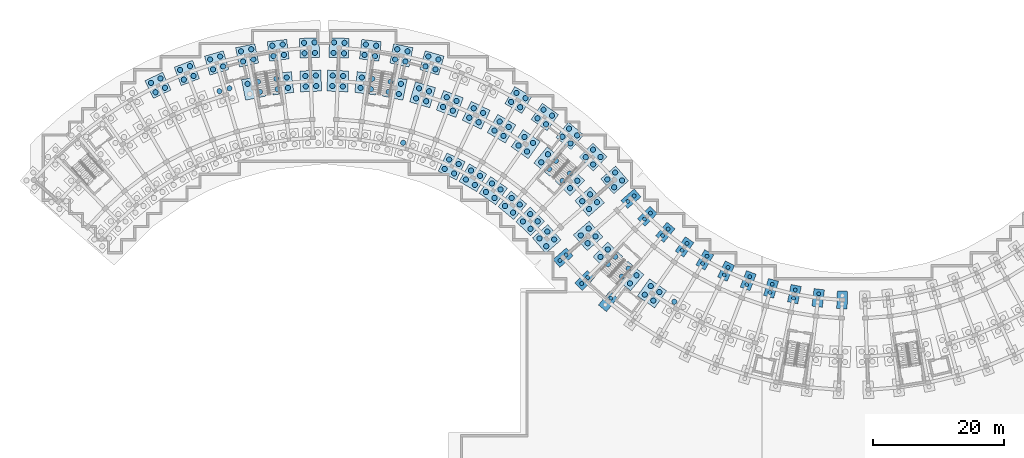
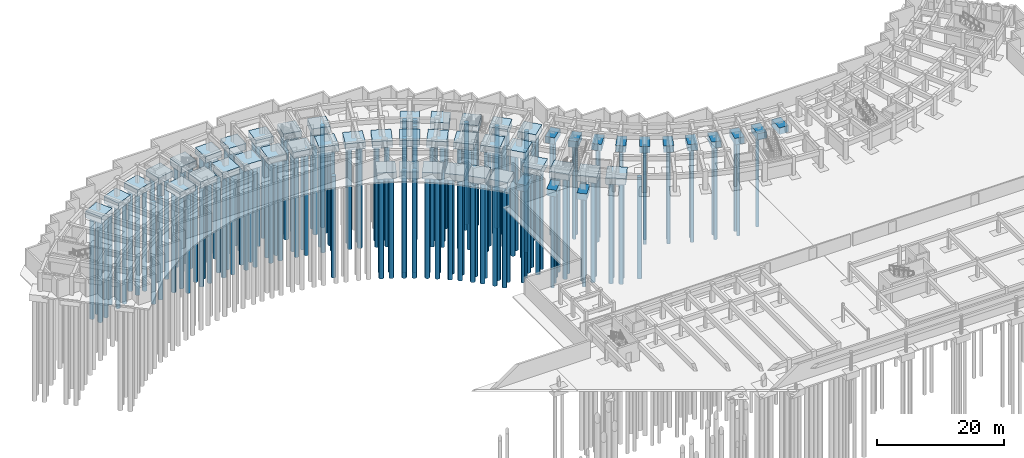
# One storey, part 3 of 32: 183 piles, 53 footings.
"""IFC4 building model written with IfcOpenShell, lengths in metres."""

from ifc_helpers import new_model, si_unit, direction, frame, origin, origin_2d, place, context, subcontext, project, spatial, rectangle, circle, extrude, material, material_profile, profile_set, type_object, element, save


model = new_model("IFC4")

# Units and contexts
model_context = context("Model", 3, precision=1e-05, world=origin(), true_north=direction((0.0, 1.0)))
body_context = subcontext(model_context, "Body", "Model", "MODEL_VIEW")
ifc_project = project(units=[si_unit("LENGTHUNIT", "METRE"), si_unit("AREAUNIT", "SQUARE_METRE"), si_unit("VOLUMEUNIT", "CUBIC_METRE"), si_unit("PLANEANGLEUNIT", "RADIAN"), si_unit("MASSUNIT", "GRAM", prefix="KILO")], contexts=[model_context])

# Site, building, storey
site_placement = place(None, origin())
site = spatial("IfcSite", under=ifc_project, at=site_placement, CompositionType="ELEMENT")
building_placement = place(site_placement, origin())
building = spatial("IfcBuilding", under=site, at=building_placement, Name="Zimvara Arc Housing Community", CompositionType="ELEMENT")
storey_placement = place(building_placement, frame((0.0, 0.0, -3.60009765625)))
storey = spatial("IfcBuildingStorey", under=building, at=storey_placement, Name="B1", CompositionType="ELEMENT", Elevation=-3.60009765625)

# Footings
ifc_material_1 = material(Name="Concrete C35/45", Category="concrete")
footing_type_1 = type_object("IfcFootingType", Name="FTG-PC2-2600x1600x1250", PredefinedType="PILE_CAP", material=ifc_material_1)
for number, where, z_axis, x_axis, name in (
    (1, (91.927490234375, 80.258544921875, -1.25), (0.0, 0.0, 1.0), (-0.754709580223, -0.656059028991, 0.0), "ftg:blkC:b0:r0"),
    (2, (81.542724609375, 71.231201171875, -1.25), (0.0, 0.0, 1.0), (-0.754709580223, -0.656059028991, 0.0), "ftg:blkC:b0:r3"),
    (3, (94.456298828125, 77.578857421875, -1.25), (0.0, 0.0, 1.0), (-0.698665066769, -0.715448897181, 0.0), "ftg:blkC:b1:r0"),
    (4, (84.842529296875, 67.734375, -1.25), (0.0, 0.0, 1.0), (-0.698665066769, -0.715448897181, 0.0), "ftg:blkC:b1:r3"),
    (5, (97.195068359375, 75.114501953125, -1.25), (0.0, 0.0, 1.0), (-0.637961754089, -0.770068049148, 0.0), "ftg:blkC:b2:r0"),
    (6, (88.416748046875, 64.518310546875, -1.25), (0.0, 0.0, 1.0), (-0.637961754089, -0.770068049148, 0.0), "ftg:blkC:b2:r3"),
    (7, (100.1259765625, 72.8818359375, -1.25), (0.0, 0.0, 1.0), (-0.573004420611, -0.819552276527, 0.0), "ftg:blkC:b3:r0"),
    (8, (103.229248046875, 70.895751953125, -1.25), (0.0, 0.0, 1.0), (-0.504226211181, -0.863571611366, 0.0), "ftg:blkC:b4:r0"),
    (9, (106.484375, 69.16943359375, -1.25), (0.0, 0.0, 1.0), (-0.432085748802, -0.901832526405, 0.0), "ftg:blkC:b5:r0"),
    (10, (109.869384765625, 67.71435546875, -1.25), (0.0, 0.0, 1.0), (-0.357064076459, -0.934079892355, 0.0), "ftg:blkC:b6:r0"),
    (11, (113.361572265625, 66.540283203125, -1.25), (0.0, 0.0, 1.0), (-0.27966144946, -0.96009867914, 0.0), "ftg:blkC:b7:r0"),
    (12, (116.938232421875, 65.6552734375, -1.25), (0.0, 0.0, 1.0), (-0.200393999665, -0.979715389742, 0.0), "ftg:blkC:b8:r0"),
    (13, (120.574951171875, 65.06494140625, -1.25), (0.0, 0.0, 1.0), (-0.119790293837, -0.992799217114, 0.0), "ftg:blkC:b9:r0"),
    (14, (124.248046875, 64.773193359375, -1.25), (0.0, 0.0, 1.0), (-0.038387809088, -0.999262916411, 0.0), "ftg:blkC:b10:r0"),
):
    element("IfcFooting", number, at=place(storey_placement, frame(where, z_axis=z_axis, x_axis=x_axis)), inside=storey, type_object=footing_type_1, Name=name, PredefinedType="PILE_CAP", context=body_context, shape_type="SweptSolid", body=[
        extrude(rectangle(XDim=2.699951171875, YDim=1.60009765625, at=origin_2d()), origin(), (0.0, 0.0, 1.0), 1.25),
    ])
ifc_material_2 = material(Name="Concrete C35/45", Category="concrete")
footing_type_2 = type_object("IfcFootingType", Name="FTG-PC4-2800x2800x1250", PredefinedType="PILE_CAP", material=ifc_material_2)
for number, where, z_axis, x_axis, name in (
    (15, (19.558837890625, 97.599853515625, -1.25), (0.0, 0.0, 1.0), (-0.432085748802, 0.901832526405, 0.0), "ftg:blkA:b5:r3"),
    (16, (23.97607421875, 99.49853515625, -1.25), (0.0, 0.0, 1.0), (-0.357064076459, 0.934079892355, 0.0), "ftg:blkA:b6:r3"),
    (17, (28.533447265625, 101.030517578125, -1.25), (0.0, 0.0, 1.0), (-0.27966144946, 0.96009867914, 0.0), "ftg:blkA:b7:r3"),
    (18, (33.20068359375, 102.185546875, -1.25), (0.0, 0.0, 1.0), (-0.200393999665, 0.979715389742, 0.0), "ftg:blkA:b8:r3"),
    (19, (37.94677734375, 102.9560546875, -1.25), (0.0, 0.0, 1.0), (-0.119790293837, 0.992799217114, 0.0), "ftg:blkA:b9:r3"),
    (20, (42.73974609375, 103.336669921875, -1.25), (0.0, 0.0, 1.0), (-0.038387809088, 0.999262916411, 0.0), "ftg:blkA:b10:r3"),
    (21, (47.26025390625, 103.336669921875, -1.25), (0.0, 0.0, 1.0), (0.038387809088, 0.999262916411, 0.0), "ftg:blkB:b0:r3"),
    (22, (52.05322265625, 102.9560546875, -1.25), (0.0, 0.0, 1.0), (0.119790293837, 0.992799217114, 0.0), "ftg:blkB:b1:r3"),
    (23, (56.79931640625, 102.185546875, -1.25), (0.0, 0.0, 1.0), (0.200393999665, 0.979715389742, 0.0), "ftg:blkB:b2:r3"),
    (24, (61.466552734375, 101.030517578125, -1.25), (0.0, 0.0, 1.0), (0.27966144946, 0.96009867914, 0.0), "ftg:blkB:b3:r3"),
    (25, (74.688720703125, 95.34716796875, -1.25), (0.0, 0.0, 1.0), (0.504226211181, 0.863571611366, 0.0), "ftg:blkB:b6:r3"),
    (26, (78.738525390625, 92.755126953125, -1.25), (0.0, 0.0, 1.0), (0.573004420611, 0.819552276527, 0.0), "ftg:blkB:b7:r3"),
    (27, (82.563232421875, 89.841552734375, -1.25), (0.0, 0.0, 1.0), (0.637961754089, 0.770068049148, 0.0), "ftg:blkB:b8:r3"),
    (28, (86.137451171875, 86.625732421875, -1.25), (0.0, 0.0, 1.0), (0.698665066769, 0.715448897181, 0.0), "ftg:blkB:b9:r3"),
    (29, (89.437255859375, 83.128662109375, -1.25), (0.0, 0.0, 1.0), (0.754709580223, 0.656059028991, 0.0), "ftg:blkB:b10:r3"),
):
    element("IfcFooting", number, at=place(storey_placement, frame(where, z_axis=z_axis, x_axis=x_axis)), inside=storey, type_object=footing_type_2, Name=name, PredefinedType="PILE_CAP", context=body_context, shape_type="SweptSolid", body=[
        extrude(rectangle(XDim=3.0, YDim=3.0, at=origin_2d()), origin(), (0.0, 0.0, 1.0), 1.25),
    ])
ifc_material_3 = material(Name="Concrete C35/45", Category="concrete")
footing_type_3 = type_object("IfcFootingType", Name="FTG-PC4-3000x3000x1250", PredefinedType="PILE_CAP", material=ifc_material_3)
for number, where, z_axis, x_axis, name in (
    (30, (64.49560546875, 85.190673828125, -1.25), (0.0, 0.0, 1.0), (0.432085748802, 0.901832526405, 0.0), "ftg:blkB:b5:r0"),
    (31, (67.750732421875, 83.46435546875, -1.25), (0.0, 0.0, 1.0), (0.504226211181, 0.863571611366, 0.0), "ftg:blkB:b6:r0"),
    (32, (70.85400390625, 81.478271484375, -1.25), (0.0, 0.0, 1.0), (0.573004420611, 0.819552276527, 0.0), "ftg:blkB:b7:r0"),
    (33, (73.784912109375, 79.245361328125, -1.25), (0.0, 0.0, 1.0), (0.637961754089, 0.770068049148, 0.0), "ftg:blkB:b8:r0"),
    (34, (76.523681640625, 76.781005859375, -1.25), (0.0, 0.0, 1.0), (0.698665066769, 0.715448897181, 0.0), "ftg:blkB:b9:r0"),
    (35, (79.052490234375, 74.101318359375, -1.25), (0.0, 0.0, 1.0), (0.754709580223, 0.656059028991, 0.0), "ftg:blkB:b10:r0"),
):
    element("IfcFooting", number, at=place(storey_placement, frame(where, z_axis=z_axis, x_axis=x_axis)), inside=storey, type_object=footing_type_3, Name=name, PredefinedType="PILE_CAP", context=body_context, shape_type="SweptSolid", body=[
        extrude(rectangle(XDim=3.10009765625, YDim=3.10009765625, at=origin_2d()), origin(), (0.0, 0.0, 1.0), 1.25),
    ])
ifc_material_4 = material(Name="Concrete C35/45", Category="concrete")
footing_type_4 = type_object("IfcFootingType", Name="FTG-PC4-3200x3200x1250", PredefinedType="PILE_CAP", material=ifc_material_4)
for number, where, z_axis, x_axis, name in (
    (36, (34.21875, 97.208740234375, -1.25), (0.0, 0.0, 1.0), (-0.200393999665, 0.979715389742, 0.0), "ftg:blkA:b8:r2"),
    (37, (38.55517578125, 97.91259765625, -1.25), (0.0, 0.0, 1.0), (-0.119790293837, 0.992799217114, 0.0), "ftg:blkA:b9:r2"),
    (38, (42.934814453125, 98.26025390625, -1.25), (0.0, 0.0, 1.0), (-0.038387809088, 0.999262916411, 0.0), "ftg:blkA:b10:r2"),
    (39, (47.065185546875, 98.26025390625, -1.25), (0.0, 0.0, 1.0), (0.038387809088, 0.999262916411, 0.0), "ftg:blkB:b0:r2"),
    (40, (51.44482421875, 97.91259765625, -1.25), (0.0, 0.0, 1.0), (0.119790293837, 0.992799217114, 0.0), "ftg:blkB:b1:r2"),
    (41, (55.78125, 97.208740234375, -1.25), (0.0, 0.0, 1.0), (0.200393999665, 0.979715389742, 0.0), "ftg:blkB:b2:r2"),
    (42, (60.0458984375, 96.1533203125, -1.25), (0.0, 0.0, 1.0), (0.27966144946, 0.96009867914, 0.0), "ftg:blkB:b3:r2"),
    (43, (64.2099609375, 94.75341796875, -1.25), (0.0, 0.0, 1.0), (0.357064076459, 0.934079892355, 0.0), "ftg:blkB:b4:r2"),
    (44, (68.24609375, 93.0185546875, -1.25), (0.0, 0.0, 1.0), (0.432085748802, 0.901832526405, 0.0), "ftg:blkB:b5:r2"),
    (45, (72.12744140625, 90.960205078125, -1.25), (0.0, 0.0, 1.0), (0.504226211181, 0.863571611366, 0.0), "ftg:blkB:b6:r2"),
    (46, (75.82763671875, 88.591796875, -1.25), (0.0, 0.0, 1.0), (0.573004420611, 0.819552276527, 0.0), "ftg:blkB:b7:r2"),
    (47, (79.322265625, 85.9296875, -1.25), (0.0, 0.0, 1.0), (0.637961754089, 0.770068049148, 0.0), "ftg:blkB:b8:r2"),
    (48, (82.588134765625, 82.9912109375, -1.25), (0.0, 0.0, 1.0), (0.698665066769, 0.715448897181, 0.0), "ftg:blkB:b9:r2"),
    (49, (85.603271484375, 79.7958984375, -1.25), (0.0, 0.0, 1.0), (0.754709580223, 0.656059028991, 0.0), "ftg:blkB:b10:r2"),
    (50, (85.376708984375, 74.56396484375, -1.25), (0.0, 0.0, 1.0), (-0.754709580223, -0.656059028991, 0.0), "ftg:blkC:b0:r2"),
    (51, (88.391845703125, 71.368896484375, -1.25), (0.0, 0.0, 1.0), (-0.698665066769, -0.715448897181, 0.0), "ftg:blkC:b1:r2"),
    (52, (91.65771484375, 68.430419921875, -1.25), (0.0, 0.0, 1.0), (-0.637961754089, -0.770068049148, 0.0), "ftg:blkC:b2:r2"),
    (53, (95.15234375, 65.76806640625, -1.25), (0.0, 0.0, 1.0), (-0.573004420611, -0.819552276527, 0.0), "ftg:blkC:b3:r2"),
):
    element("IfcFooting", number, at=place(storey_placement, frame(where, z_axis=z_axis, x_axis=x_axis)), inside=storey, type_object=footing_type_4, Name=name, PredefinedType="PILE_CAP", context=body_context, shape_type="SweptSolid", body=[
        extrude(rectangle(XDim=3.199951171875, YDim=3.199951171875, at=origin_2d()), origin(), (0.0, 0.0, 1.0), 1.25),
    ])

# Piles
ifc_material_5 = material(Name="Concrete C35/45", Category="concrete")
ifc_material_profile_1 = material_profile(ifc_material_5, circle(Radius=0.300048828125, at=origin_2d()), Name="PILE D600")
ifc_profile_set_1 = profile_set([ifc_material_profile_1], Name="Concrete C35/45")
pile_type_1 = type_object("IfcPileType", Name="PIL-BORED-D600", PredefinedType="BORED", material=ifc_profile_set_1)
for number, where, z_axis, x_axis, name in (
    (54, (92.41796875, 80.68505859375, -1.14990234375), (0.0, 0.0, -1.0), (1.0, 0.0, 0.0), "pile:blkC:b0:r0:1"),
    (55, (91.43701171875, 79.832275390625, -1.14990234375), (0.0, 0.0, -1.0), (1.0, 0.0, 0.0), "pile:blkC:b0:r0:2"),
    (56, (82.033203125, 71.65771484375, -1.14990234375), (0.0, 0.0, -1.0), (1.0, 0.0, 0.0), "pile:blkC:b0:r3:1"),
    (57, (81.05224609375, 70.804931640625, -1.14990234375), (0.0, 0.0, -1.0), (1.0, 0.0, 0.0), "pile:blkC:b0:r3:2"),
    (58, (94.910400390625, 78.0439453125, -1.14990234375), (0.0, 0.0, -1.0), (1.0, 0.0, 0.0), "pile:blkC:b1:r0:1"),
    (59, (94.002197265625, 77.114013671875, -1.14990234375), (0.0, 0.0, -1.0), (1.0, 0.0, 0.0), "pile:blkC:b1:r0:2"),
    (60, (85.296630859375, 68.199462890625, -1.14990234375), (0.0, 0.0, -1.0), (1.0, 0.0, 0.0), "pile:blkC:b1:r3:1"),
    (61, (84.388427734375, 67.269287109375, -1.14990234375), (0.0, 0.0, -1.0), (1.0, 0.0, 0.0), "pile:blkC:b1:r3:2"),
    (62, (97.60986328125, 75.614990234375, -1.14990234375), (0.0, 0.0, -1.0), (1.0, 0.0, 0.0), "pile:blkC:b2:r0:1"),
    (63, (96.780517578125, 74.614013671875, -1.14990234375), (0.0, 0.0, -1.0), (1.0, 0.0, 0.0), "pile:blkC:b2:r0:2"),
    (64, (88.83154296875, 65.01904296875, -1.14990234375), (0.0, 0.0, -1.0), (1.0, 0.0, 0.0), "pile:blkC:b2:r3:1"),
    (65, (100.49853515625, 73.41455078125, -1.14990234375), (0.0, 0.0, -1.0), (1.0, 0.0, 0.0), "pile:blkC:b3:r0:1"),
    (66, (99.753662109375, 72.34912109375, -1.14990234375), (0.0, 0.0, -1.0), (1.0, 0.0, 0.0), "pile:blkC:b3:r0:2"),
    (67, (103.55712890625, 71.45703125, -1.14990234375), (0.0, 0.0, -1.0), (1.0, 0.0, 0.0), "pile:blkC:b4:r0:1"),
    (68, (102.901611328125, 70.334228515625, -1.14990234375), (0.0, 0.0, -1.0), (1.0, 0.0, 0.0), "pile:blkC:b4:r0:2"),
    (69, (106.76513671875, 69.755615234375, -1.14990234375), (0.0, 0.0, -1.0), (1.0, 0.0, 0.0), "pile:blkC:b5:r0:1"),
    (70, (106.203369140625, 68.5830078125, -1.14990234375), (0.0, 0.0, -1.0), (1.0, 0.0, 0.0), "pile:blkC:b5:r0:2"),
    (71, (110.101318359375, 68.321533203125, -1.14990234375), (0.0, 0.0, -1.0), (1.0, 0.0, 0.0), "pile:blkC:b6:r0:1"),
    (72, (109.63720703125, 67.107177734375, -1.14990234375), (0.0, 0.0, -1.0), (1.0, 0.0, 0.0), "pile:blkC:b6:r0:2"),
    (73, (113.54345703125, 67.164306640625, -1.14990234375), (0.0, 0.0, -1.0), (1.0, 0.0, 0.0), "pile:blkC:b7:r0:1"),
    (74, (113.179931640625, 65.916259765625, -1.14990234375), (0.0, 0.0, -1.0), (1.0, 0.0, 0.0), "pile:blkC:b7:r0:2"),
    (75, (117.068359375, 66.2919921875, -1.14990234375), (0.0, 0.0, -1.0), (1.0, 0.0, 0.0), "pile:blkC:b8:r0:1"),
    (76, (116.807861328125, 65.018310546875, -1.14990234375), (0.0, 0.0, -1.0), (1.0, 0.0, 0.0), "pile:blkC:b8:r0:2"),
    (77, (120.65283203125, 65.710205078125, -1.14990234375), (0.0, 0.0, -1.0), (1.0, 0.0, 0.0), "pile:blkC:b9:r0:1"),
):
    element("IfcPile", number, at=place(storey_placement, frame(where, z_axis=z_axis, x_axis=x_axis)), inside=storey, type_object=pile_type_1, Name=name, PredefinedType="BORED", context=body_context, shape_type="SweptSolid", body=[
        extrude(circle(Radius=0.300048828125, at=origin_2d()), origin(), (0.0, 0.0, 1.0), 18.0),
    ])
ifc_material_6 = material(Name="Concrete C35/45", Category="concrete")
ifc_material_profile_2 = material_profile(ifc_material_6, circle(Radius=0.39990234375, at=origin_2d()), Name="PILE D800")
ifc_profile_set_2 = profile_set([ifc_material_profile_2], Name="Concrete C35/45")
pile_type_2 = type_object("IfcPileType", Name="PIL-BORED-D800", PredefinedType="BORED", material=ifc_profile_set_2)
for number, where, z_axis, x_axis, name in (
    (78, (20.6259765625, 97.22412109375, -1.14990234375), (0.0, 0.0, -1.0), (1.0, 0.0, 0.0), "pile:blkA:b5:r3:1"),
    (79, (19.9345703125, 98.6669921875, -1.14990234375), (0.0, 0.0, -1.0), (1.0, 0.0, 0.0), "pile:blkA:b5:r3:2"),
    (80, (18.49169921875, 97.9755859375, -1.14990234375), (0.0, 0.0, -1.0), (1.0, 0.0, 0.0), "pile:blkA:b5:r3:3"),
    (81, (19.18310546875, 96.53271484375, -1.14990234375), (0.0, 0.0, -1.0), (1.0, 0.0, 0.0), "pile:blkA:b5:r3:4"),
    (82, (25.009033203125, 99.037109375, -1.14990234375), (0.0, 0.0, -1.0), (1.0, 0.0, 0.0), "pile:blkA:b6:r3:1"),
    (83, (24.437744140625, 100.531494140625, -1.14990234375), (0.0, 0.0, -1.0), (1.0, 0.0, 0.0), "pile:blkA:b6:r3:2"),
    (84, (22.943115234375, 99.960205078125, -1.14990234375), (0.0, 0.0, -1.0), (1.0, 0.0, 0.0), "pile:blkA:b6:r3:3"),
    (85, (23.514404296875, 98.4658203125, -1.14990234375), (0.0, 0.0, -1.0), (1.0, 0.0, 0.0), "pile:blkA:b6:r3:4"),
    (86, (30.49853515625, 97.14501953125, -1.14990234375), (0.0, 0.0, -1.0), (1.0, 0.0, 0.0), "pile:blkA:b7:r2:2"),
    (87, (28.96240234375, 96.69775390625, -1.14990234375), (0.0, 0.0, -1.0), (1.0, 0.0, 0.0), "pile:blkA:b7:r2:3"),
    (88, (29.525390625, 100.486328125, -1.14990234375), (0.0, 0.0, -1.0), (1.0, 0.0, 0.0), "pile:blkA:b7:r3:1"),
    (89, (29.077880859375, 102.0224609375, -1.14990234375), (0.0, 0.0, -1.0), (1.0, 0.0, 0.0), "pile:blkA:b7:r3:2"),
    (90, (27.541748046875, 101.574951171875, -1.14990234375), (0.0, 0.0, -1.0), (1.0, 0.0, 0.0), "pile:blkA:b7:r3:3"),
    (91, (27.9892578125, 100.038818359375, -1.14990234375), (0.0, 0.0, -1.0), (1.0, 0.0, 0.0), "pile:blkA:b7:r3:4"),
    (92, (35.162841796875, 96.585205078125, -1.14990234375), (0.0, 0.0, -1.0), (1.0, 0.0, 0.0), "pile:blkA:b8:r2:1"),
    (93, (34.84228515625, 98.15283203125, -1.14990234375), (0.0, 0.0, -1.0), (1.0, 0.0, 0.0), "pile:blkA:b8:r2:2"),
    (94, (33.274658203125, 97.83203125, -1.14990234375), (0.0, 0.0, -1.0), (1.0, 0.0, 0.0), "pile:blkA:b8:r2:3"),
    (95, (34.144775390625, 101.562255859375, -1.14990234375), (0.0, 0.0, -1.0), (1.0, 0.0, 0.0), "pile:blkA:b8:r3:1"),
    (96, (33.82421875, 103.129638671875, -1.14990234375), (0.0, 0.0, -1.0), (1.0, 0.0, 0.0), "pile:blkA:b8:r3:2"),
    (97, (32.256591796875, 102.80908203125, -1.14990234375), (0.0, 0.0, -1.0), (1.0, 0.0, 0.0), "pile:blkA:b8:r3:3"),
    (98, (32.577392578125, 101.241455078125, -1.14990234375), (0.0, 0.0, -1.0), (1.0, 0.0, 0.0), "pile:blkA:b8:r3:4"),
    (99, (39.4453125, 97.214111328125, -1.14990234375), (0.0, 0.0, -1.0), (1.0, 0.0, 0.0), "pile:blkA:b9:r2:1"),
    (100, (39.253662109375, 98.802734375, -1.14990234375), (0.0, 0.0, -1.0), (1.0, 0.0, 0.0), "pile:blkA:b9:r2:2"),
    (101, (37.665283203125, 98.611083984375, -1.14990234375), (0.0, 0.0, -1.0), (1.0, 0.0, 0.0), "pile:blkA:b9:r2:3"),
    (102, (37.85693359375, 97.0224609375, -1.14990234375), (0.0, 0.0, -1.0), (1.0, 0.0, 0.0), "pile:blkA:b9:r2:4"),
    (103, (38.8369140625, 102.257568359375, -1.14990234375), (0.0, 0.0, -1.0), (1.0, 0.0, 0.0), "pile:blkA:b9:r3:1"),
    (104, (38.645263671875, 103.84619140625, -1.14990234375), (0.0, 0.0, -1.0), (1.0, 0.0, 0.0), "pile:blkA:b9:r3:2"),
    (105, (37.056640625, 103.654541015625, -1.14990234375), (0.0, 0.0, -1.0), (1.0, 0.0, 0.0), "pile:blkA:b9:r3:3"),
    (106, (37.248291015625, 102.06591796875, -1.14990234375), (0.0, 0.0, -1.0), (1.0, 0.0, 0.0), "pile:blkA:b9:r3:4"),
    (107, (43.764892578125, 97.49169921875, -1.14990234375), (0.0, 0.0, -1.0), (1.0, 0.0, 0.0), "pile:blkA:b10:r2:1"),
    (108, (43.703369140625, 99.090576171875, -1.14990234375), (0.0, 0.0, -1.0), (1.0, 0.0, 0.0), "pile:blkA:b10:r2:2"),
    (109, (42.104736328125, 99.029052734375, -1.14990234375), (0.0, 0.0, -1.0), (1.0, 0.0, 0.0), "pile:blkA:b10:r2:3"),
    (110, (42.166015625, 97.43017578125, -1.14990234375), (0.0, 0.0, -1.0), (1.0, 0.0, 0.0), "pile:blkA:b10:r2:4"),
    (111, (43.56982421875, 102.56787109375, -1.14990234375), (0.0, 0.0, -1.0), (1.0, 0.0, 0.0), "pile:blkA:b10:r3:1"),
    (112, (43.508544921875, 104.166748046875, -1.14990234375), (0.0, 0.0, -1.0), (1.0, 0.0, 0.0), "pile:blkA:b10:r3:2"),
    (113, (41.90966796875, 104.105224609375, -1.14990234375), (0.0, 0.0, -1.0), (1.0, 0.0, 0.0), "pile:blkA:b10:r3:3"),
    (114, (41.970947265625, 102.506591796875, -1.14990234375), (0.0, 0.0, -1.0), (1.0, 0.0, 0.0), "pile:blkA:b10:r3:4"),
    (115, (47.833984375, 97.43017578125, -1.14990234375), (0.0, 0.0, -1.0), (1.0, 0.0, 0.0), "pile:blkB:b0:r2:1"),
    (116, (47.895263671875, 99.029052734375, -1.14990234375), (0.0, 0.0, -1.0), (1.0, 0.0, 0.0), "pile:blkB:b0:r2:2"),
    (117, (46.296630859375, 99.090576171875, -1.14990234375), (0.0, 0.0, -1.0), (1.0, 0.0, 0.0), "pile:blkB:b0:r2:3"),
    (118, (46.235107421875, 97.49169921875, -1.14990234375), (0.0, 0.0, -1.0), (1.0, 0.0, 0.0), "pile:blkB:b0:r2:4"),
    (119, (48.029052734375, 102.506591796875, -1.14990234375), (0.0, 0.0, -1.0), (1.0, 0.0, 0.0), "pile:blkB:b0:r3:1"),
    (120, (48.09033203125, 104.105224609375, -1.14990234375), (0.0, 0.0, -1.0), (1.0, 0.0, 0.0), "pile:blkB:b0:r3:2"),
    (121, (46.491455078125, 104.166748046875, -1.14990234375), (0.0, 0.0, -1.0), (1.0, 0.0, 0.0), "pile:blkB:b0:r3:3"),
    (122, (46.43017578125, 102.56787109375, -1.14990234375), (0.0, 0.0, -1.0), (1.0, 0.0, 0.0), "pile:blkB:b0:r3:4"),
    (123, (52.14306640625, 97.0224609375, -1.14990234375), (0.0, 0.0, -1.0), (1.0, 0.0, 0.0), "pile:blkB:b1:r2:1"),
    (124, (52.334716796875, 98.611083984375, -1.14990234375), (0.0, 0.0, -1.0), (1.0, 0.0, 0.0), "pile:blkB:b1:r2:2"),
    (125, (50.746337890625, 98.802734375, -1.14990234375), (0.0, 0.0, -1.0), (1.0, 0.0, 0.0), "pile:blkB:b1:r2:3"),
    (126, (50.5546875, 97.214111328125, -1.14990234375), (0.0, 0.0, -1.0), (1.0, 0.0, 0.0), "pile:blkB:b1:r2:4"),
    (127, (52.751708984375, 102.06591796875, -1.14990234375), (0.0, 0.0, -1.0), (1.0, 0.0, 0.0), "pile:blkB:b1:r3:1"),
    (128, (52.943359375, 103.654541015625, -1.14990234375), (0.0, 0.0, -1.0), (1.0, 0.0, 0.0), "pile:blkB:b1:r3:2"),
    (129, (51.354736328125, 103.84619140625, -1.14990234375), (0.0, 0.0, -1.0), (1.0, 0.0, 0.0), "pile:blkB:b1:r3:3"),
    (130, (51.1630859375, 102.257568359375, -1.14990234375), (0.0, 0.0, -1.0), (1.0, 0.0, 0.0), "pile:blkB:b1:r3:4"),
    (131, (56.404541015625, 96.2646484375, -1.14990234375), (0.0, 0.0, -1.0), (1.0, 0.0, 0.0), "pile:blkB:b2:r2:1"),
    (132, (56.725341796875, 97.83203125, -1.14990234375), (0.0, 0.0, -1.0), (1.0, 0.0, 0.0), "pile:blkB:b2:r2:2"),
    (133, (55.15771484375, 98.15283203125, -1.14990234375), (0.0, 0.0, -1.0), (1.0, 0.0, 0.0), "pile:blkB:b2:r2:3"),
    (134, (54.837158203125, 96.585205078125, -1.14990234375), (0.0, 0.0, -1.0), (1.0, 0.0, 0.0), "pile:blkB:b2:r2:4"),
    (135, (57.422607421875, 101.241455078125, -1.14990234375), (0.0, 0.0, -1.0), (1.0, 0.0, 0.0), "pile:blkB:b2:r3:1"),
    (136, (57.743408203125, 102.80908203125, -1.14990234375), (0.0, 0.0, -1.0), (1.0, 0.0, 0.0), "pile:blkB:b2:r3:2"),
    (137, (56.17578125, 103.129638671875, -1.14990234375), (0.0, 0.0, -1.0), (1.0, 0.0, 0.0), "pile:blkB:b2:r3:3"),
    (138, (55.855224609375, 101.562255859375, -1.14990234375), (0.0, 0.0, -1.0), (1.0, 0.0, 0.0), "pile:blkB:b2:r3:4"),
    (139, (57.073974609375, 88.8115234375, -1.14990234375), (0.0, 0.0, -1.0), (1.0, 0.0, 0.0), "pile:blkB:b3:r0:3"),
    (140, (60.590087890625, 95.16162109375, -1.14990234375), (0.0, 0.0, -1.0), (1.0, 0.0, 0.0), "pile:blkB:b3:r2:1"),
    (141, (61.03759765625, 96.69775390625, -1.14990234375), (0.0, 0.0, -1.0), (1.0, 0.0, 0.0), "pile:blkB:b3:r2:2"),
    (142, (59.50146484375, 97.14501953125, -1.14990234375), (0.0, 0.0, -1.0), (1.0, 0.0, 0.0), "pile:blkB:b3:r2:3"),
    (143, (59.053955078125, 95.60888671875, -1.14990234375), (0.0, 0.0, -1.0), (1.0, 0.0, 0.0), "pile:blkB:b3:r2:4"),
    (144, (62.0107421875, 100.038818359375, -1.14990234375), (0.0, 0.0, -1.0), (1.0, 0.0, 0.0), "pile:blkB:b3:r3:1"),
    (145, (62.458251953125, 101.574951171875, -1.14990234375), (0.0, 0.0, -1.0), (1.0, 0.0, 0.0), "pile:blkB:b3:r3:2"),
    (146, (60.922119140625, 102.0224609375, -1.14990234375), (0.0, 0.0, -1.0), (1.0, 0.0, 0.0), "pile:blkB:b3:r3:3"),
    (147, (60.474609375, 100.486328125, -1.14990234375), (0.0, 0.0, -1.0), (1.0, 0.0, 0.0), "pile:blkB:b3:r3:4"),
    (148, (64.671630859375, 93.720458984375, -1.14990234375), (0.0, 0.0, -1.0), (1.0, 0.0, 0.0), "pile:blkB:b4:r2:1"),
    (149, (65.242919921875, 95.215087890625, -1.14990234375), (0.0, 0.0, -1.0), (1.0, 0.0, 0.0), "pile:blkB:b4:r2:2"),
    (150, (63.74853515625, 95.786376953125, -1.14990234375), (0.0, 0.0, -1.0), (1.0, 0.0, 0.0), "pile:blkB:b4:r2:3"),
    (151, (63.17724609375, 94.2919921875, -1.14990234375), (0.0, 0.0, -1.0), (1.0, 0.0, 0.0), "pile:blkB:b4:r2:4"),
    (152, (64.87158203125, 84.12353515625, -1.14990234375), (0.0, 0.0, -1.0), (1.0, 0.0, 0.0), "pile:blkB:b5:r0:1"),
    (153, (65.562744140625, 85.56640625, -1.14990234375), (0.0, 0.0, -1.0), (1.0, 0.0, 0.0), "pile:blkB:b5:r0:2"),
    (154, (64.119873046875, 86.2578125, -1.14990234375), (0.0, 0.0, -1.0), (1.0, 0.0, 0.0), "pile:blkB:b5:r0:3"),
    (155, (63.428466796875, 84.81494140625, -1.14990234375), (0.0, 0.0, -1.0), (1.0, 0.0, 0.0), "pile:blkB:b5:r0:4"),
    (156, (68.6220703125, 91.951416015625, -1.14990234375), (0.0, 0.0, -1.0), (1.0, 0.0, 0.0), "pile:blkB:b5:r2:1"),
    (157, (69.313232421875, 93.394287109375, -1.14990234375), (0.0, 0.0, -1.0), (1.0, 0.0, 0.0), "pile:blkB:b5:r2:2"),
    (158, (67.870361328125, 94.085693359375, -1.14990234375), (0.0, 0.0, -1.0), (1.0, 0.0, 0.0), "pile:blkB:b5:r2:3"),
    (159, (67.17919921875, 92.642822265625, -1.14990234375), (0.0, 0.0, -1.0), (1.0, 0.0, 0.0), "pile:blkB:b5:r2:4"),
    (160, (68.0380859375, 82.3701171875, -1.14990234375), (0.0, 0.0, -1.0), (1.0, 0.0, 0.0), "pile:blkB:b6:r0:1"),
    (161, (68.844970703125, 83.751708984375, -1.14990234375), (0.0, 0.0, -1.0), (1.0, 0.0, 0.0), "pile:blkB:b6:r0:2"),
    (162, (67.463134765625, 84.55859375, -1.14990234375), (0.0, 0.0, -1.0), (1.0, 0.0, 0.0), "pile:blkB:b6:r0:3"),
    (163, (66.656494140625, 83.1767578125, -1.14990234375), (0.0, 0.0, -1.0), (1.0, 0.0, 0.0), "pile:blkB:b6:r0:4"),
    (164, (72.414794921875, 89.865966796875, -1.14990234375), (0.0, 0.0, -1.0), (1.0, 0.0, 0.0), "pile:blkB:b6:r2:1"),
    (165, (73.2216796875, 91.24755859375, -1.14990234375), (0.0, 0.0, -1.0), (1.0, 0.0, 0.0), "pile:blkB:b6:r2:2"),
    (166, (71.83984375, 92.054443359375, -1.14990234375), (0.0, 0.0, -1.0), (1.0, 0.0, 0.0), "pile:blkB:b6:r2:3"),
    (167, (71.033203125, 90.672607421875, -1.14990234375), (0.0, 0.0, -1.0), (1.0, 0.0, 0.0), "pile:blkB:b6:r2:4"),
    (168, (74.976318359375, 94.2529296875, -1.14990234375), (0.0, 0.0, -1.0), (1.0, 0.0, 0.0), "pile:blkB:b6:r3:1"),
    (169, (75.782958984375, 95.634521484375, -1.14990234375), (0.0, 0.0, -1.0), (1.0, 0.0, 0.0), "pile:blkB:b6:r3:2"),
    (170, (74.4013671875, 96.44140625, -1.14990234375), (0.0, 0.0, -1.0), (1.0, 0.0, 0.0), "pile:blkB:b6:r3:3"),
    (171, (73.594482421875, 95.0595703125, -1.14990234375), (0.0, 0.0, -1.0), (1.0, 0.0, 0.0), "pile:blkB:b6:r3:4"),
    (172, (71.05126953125, 80.3642578125, -1.14990234375), (0.0, 0.0, -1.0), (1.0, 0.0, 0.0), "pile:blkB:b7:r0:1"),
    (173, (71.968017578125, 81.675537109375, -1.14990234375), (0.0, 0.0, -1.0), (1.0, 0.0, 0.0), "pile:blkB:b7:r0:2"),
    (174, (70.65673828125, 82.59228515625, -1.14990234375), (0.0, 0.0, -1.0), (1.0, 0.0, 0.0), "pile:blkB:b7:r0:3"),
    (175, (69.739990234375, 81.281005859375, -1.14990234375), (0.0, 0.0, -1.0), (1.0, 0.0, 0.0), "pile:blkB:b7:r0:4"),
    (176, (76.02490234375, 87.477783203125, -1.14990234375), (0.0, 0.0, -1.0), (1.0, 0.0, 0.0), "pile:blkB:b7:r2:1"),
    (177, (76.941650390625, 88.7890625, -1.14990234375), (0.0, 0.0, -1.0), (1.0, 0.0, 0.0), "pile:blkB:b7:r2:2"),
    (178, (75.63037109375, 89.7060546875, -1.14990234375), (0.0, 0.0, -1.0), (1.0, 0.0, 0.0), "pile:blkB:b7:r2:3"),
    (179, (74.713623046875, 88.394775390625, -1.14990234375), (0.0, 0.0, -1.0), (1.0, 0.0, 0.0), "pile:blkB:b7:r2:4"),
    (180, (78.935791015625, 91.64111328125, -1.14990234375), (0.0, 0.0, -1.0), (1.0, 0.0, 0.0), "pile:blkB:b7:r3:1"),
    (181, (79.8525390625, 92.952392578125, -1.14990234375), (0.0, 0.0, -1.0), (1.0, 0.0, 0.0), "pile:blkB:b7:r3:2"),
    (182, (78.541259765625, 93.869384765625, -1.14990234375), (0.0, 0.0, -1.0), (1.0, 0.0, 0.0), "pile:blkB:b7:r3:3"),
    (183, (77.62451171875, 92.55810546875, -1.14990234375), (0.0, 0.0, -1.0), (1.0, 0.0, 0.0), "pile:blkB:b7:r3:4"),
    (184, (73.890625, 78.119140625, -1.14990234375), (0.0, 0.0, -1.0), (1.0, 0.0, 0.0), "pile:blkB:b8:r0:1"),
    (185, (74.911376953125, 79.35107421875, -1.14990234375), (0.0, 0.0, -1.0), (1.0, 0.0, 0.0), "pile:blkB:b8:r0:2"),
    (186, (73.67919921875, 80.371826171875, -1.14990234375), (0.0, 0.0, -1.0), (1.0, 0.0, 0.0), "pile:blkB:b8:r0:3"),
    (187, (72.658447265625, 79.139892578125, -1.14990234375), (0.0, 0.0, -1.0), (1.0, 0.0, 0.0), "pile:blkB:b8:r0:4"),
    (188, (79.427978515625, 84.80322265625, -1.14990234375), (0.0, 0.0, -1.0), (1.0, 0.0, 0.0), "pile:blkB:b8:r2:1"),
    (189, (80.44873046875, 86.035400390625, -1.14990234375), (0.0, 0.0, -1.0), (1.0, 0.0, 0.0), "pile:blkB:b8:r2:2"),
    (190, (79.216552734375, 87.05615234375, -1.14990234375), (0.0, 0.0, -1.0), (1.0, 0.0, 0.0), "pile:blkB:b8:r2:3"),
    (191, (78.19580078125, 85.823974609375, -1.14990234375), (0.0, 0.0, -1.0), (1.0, 0.0, 0.0), "pile:blkB:b8:r2:4"),
    (192, (82.6689453125, 88.715087890625, -1.14990234375), (0.0, 0.0, -1.0), (1.0, 0.0, 0.0), "pile:blkB:b8:r3:1"),
    (193, (83.689697265625, 89.947265625, -1.14990234375), (0.0, 0.0, -1.0), (1.0, 0.0, 0.0), "pile:blkB:b8:r3:2"),
    (194, (82.45751953125, 90.968017578125, -1.14990234375), (0.0, 0.0, -1.0), (1.0, 0.0, 0.0), "pile:blkB:b8:r3:3"),
    (195, (81.436767578125, 89.73583984375, -1.14990234375), (0.0, 0.0, -1.0), (1.0, 0.0, 0.0), "pile:blkB:b8:r3:4"),
    (196, (76.537109375, 75.649658203125, -1.14990234375), (0.0, 0.0, -1.0), (1.0, 0.0, 0.0), "pile:blkB:b9:r0:1"),
    (197, (77.655029296875, 76.79443359375, -1.14990234375), (0.0, 0.0, -1.0), (1.0, 0.0, 0.0), "pile:blkB:b9:r0:2"),
    (198, (76.51025390625, 77.912353515625, -1.14990234375), (0.0, 0.0, -1.0), (1.0, 0.0, 0.0), "pile:blkB:b9:r0:3"),
    (199, (75.392578125, 76.767578125, -1.14990234375), (0.0, 0.0, -1.0), (1.0, 0.0, 0.0), "pile:blkB:b9:r0:4"),
    (200, (82.6015625, 81.85986328125, -1.14990234375), (0.0, 0.0, -1.0), (1.0, 0.0, 0.0), "pile:blkB:b9:r2:1"),
    (201, (83.719482421875, 83.004638671875, -1.14990234375), (0.0, 0.0, -1.0), (1.0, 0.0, 0.0), "pile:blkB:b9:r2:2"),
    (202, (82.57470703125, 84.12255859375, -1.14990234375), (0.0, 0.0, -1.0), (1.0, 0.0, 0.0), "pile:blkB:b9:r2:3"),
    (203, (81.456787109375, 82.977783203125, -1.14990234375), (0.0, 0.0, -1.0), (1.0, 0.0, 0.0), "pile:blkB:b9:r2:4"),
    (204, (86.15087890625, 85.494384765625, -1.14990234375), (0.0, 0.0, -1.0), (1.0, 0.0, 0.0), "pile:blkB:b9:r3:1"),
    (205, (87.268798828125, 86.63916015625, -1.14990234375), (0.0, 0.0, -1.0), (1.0, 0.0, 0.0), "pile:blkB:b9:r3:2"),
    (206, (86.1240234375, 87.7568359375, -1.14990234375), (0.0, 0.0, -1.0), (1.0, 0.0, 0.0), "pile:blkB:b9:r3:3"),
    (207, (85.006103515625, 86.6123046875, -1.14990234375), (0.0, 0.0, -1.0), (1.0, 0.0, 0.0), "pile:blkB:b9:r3:4"),
    (208, (78.9736328125, 72.97265625, -1.14990234375), (0.0, 0.0, -1.0), (1.0, 0.0, 0.0), "pile:blkB:b10:r0:1"),
    (209, (80.18115234375, 74.0224609375, -1.14990234375), (0.0, 0.0, -1.0), (1.0, 0.0, 0.0), "pile:blkB:b10:r0:2"),
    (210, (79.13134765625, 75.22998046875, -1.14990234375), (0.0, 0.0, -1.0), (1.0, 0.0, 0.0), "pile:blkB:b10:r0:3"),
    (211, (77.923828125, 74.180419921875, -1.14990234375), (0.0, 0.0, -1.0), (1.0, 0.0, 0.0), "pile:blkB:b10:r0:4"),
    (212, (85.5244140625, 78.66748046875, -1.14990234375), (0.0, 0.0, -1.0), (1.0, 0.0, 0.0), "pile:blkB:b10:r2:1"),
    (213, (86.73193359375, 79.717041015625, -1.14990234375), (0.0, 0.0, -1.0), (1.0, 0.0, 0.0), "pile:blkB:b10:r2:2"),
    (214, (85.682373046875, 80.924560546875, -1.14990234375), (0.0, 0.0, -1.0), (1.0, 0.0, 0.0), "pile:blkB:b10:r2:3"),
    (215, (84.474853515625, 79.875, -1.14990234375), (0.0, 0.0, -1.0), (1.0, 0.0, 0.0), "pile:blkB:b10:r2:4"),
    (216, (89.3583984375, 82.000244140625, -1.14990234375), (0.0, 0.0, -1.0), (1.0, 0.0, 0.0), "pile:blkB:b10:r3:1"),
    (217, (90.56591796875, 83.0498046875, -1.14990234375), (0.0, 0.0, -1.0), (1.0, 0.0, 0.0), "pile:blkB:b10:r3:2"),
    (218, (89.51611328125, 84.25732421875, -1.14990234375), (0.0, 0.0, -1.0), (1.0, 0.0, 0.0), "pile:blkB:b10:r3:3"),
    (219, (88.30859375, 83.207763671875, -1.14990234375), (0.0, 0.0, -1.0), (1.0, 0.0, 0.0), "pile:blkB:b10:r3:4"),
    (220, (85.45556640625, 75.692626953125, -1.14990234375), (0.0, 0.0, -1.0), (1.0, 0.0, 0.0), "pile:blkC:b0:r2:1"),
    (221, (84.248046875, 74.642822265625, -1.14990234375), (0.0, 0.0, -1.0), (1.0, 0.0, 0.0), "pile:blkC:b0:r2:2"),
    (222, (85.297607421875, 73.435302734375, -1.14990234375), (0.0, 0.0, -1.0), (1.0, 0.0, 0.0), "pile:blkC:b0:r2:3"),
    (223, (86.505126953125, 74.485107421875, -1.14990234375), (0.0, 0.0, -1.0), (1.0, 0.0, 0.0), "pile:blkC:b0:r2:4"),
    (224, (88.37841796875, 72.500244140625, -1.14990234375), (0.0, 0.0, -1.0), (1.0, 0.0, 0.0), "pile:blkC:b1:r2:1"),
    (225, (87.260498046875, 71.35546875, -1.14990234375), (0.0, 0.0, -1.0), (1.0, 0.0, 0.0), "pile:blkC:b1:r2:2"),
    (226, (88.4052734375, 70.237548828125, -1.14990234375), (0.0, 0.0, -1.0), (1.0, 0.0, 0.0), "pile:blkC:b1:r2:3"),
    (227, (89.523193359375, 71.38232421875, -1.14990234375), (0.0, 0.0, -1.0), (1.0, 0.0, 0.0), "pile:blkC:b1:r2:4"),
    (228, (91.552001953125, 69.556640625, -1.14990234375), (0.0, 0.0, -1.0), (1.0, 0.0, 0.0), "pile:blkC:b2:r2:1"),
    (229, (90.53125, 68.32470703125, -1.14990234375), (0.0, 0.0, -1.0), (1.0, 0.0, 0.0), "pile:blkC:b2:r2:2"),
    (230, (91.763427734375, 67.303955078125, -1.14990234375), (0.0, 0.0, -1.0), (1.0, 0.0, 0.0), "pile:blkC:b2:r2:3"),
    (231, (92.7841796875, 68.5361328125, -1.14990234375), (0.0, 0.0, -1.0), (1.0, 0.0, 0.0), "pile:blkC:b2:r2:4"),
    (232, (94.955078125, 66.882080078125, -1.14990234375), (0.0, 0.0, -1.0), (1.0, 0.0, 0.0), "pile:blkC:b3:r2:1"),
    (233, (94.038330078125, 65.57080078125, -1.14990234375), (0.0, 0.0, -1.0), (1.0, 0.0, 0.0), "pile:blkC:b3:r2:2"),
    (234, (95.349609375, 64.654052734375, -1.14990234375), (0.0, 0.0, -1.0), (1.0, 0.0, 0.0), "pile:blkC:b3:r2:3"),
    (235, (96.266357421875, 65.96533203125, -1.14990234375), (0.0, 0.0, -1.0), (1.0, 0.0, 0.0), "pile:blkC:b3:r2:4"),
    (236, (98.565185546875, 64.494140625, -1.14990234375), (0.0, 0.0, -1.0), (1.0, 0.0, 0.0), "pile:blkC:b4:r2:1"),
):
    element("IfcPile", number, at=place(storey_placement, frame(where, z_axis=z_axis, x_axis=x_axis)), inside=storey, type_object=pile_type_2, Name=name, PredefinedType="BORED", context=body_context, shape_type="SweptSolid", body=[
        extrude(circle(Radius=0.39990234375, at=origin_2d()), origin(), (0.0, 0.0, 1.0), 19.5),
    ])

save(model, "model.ifc")
